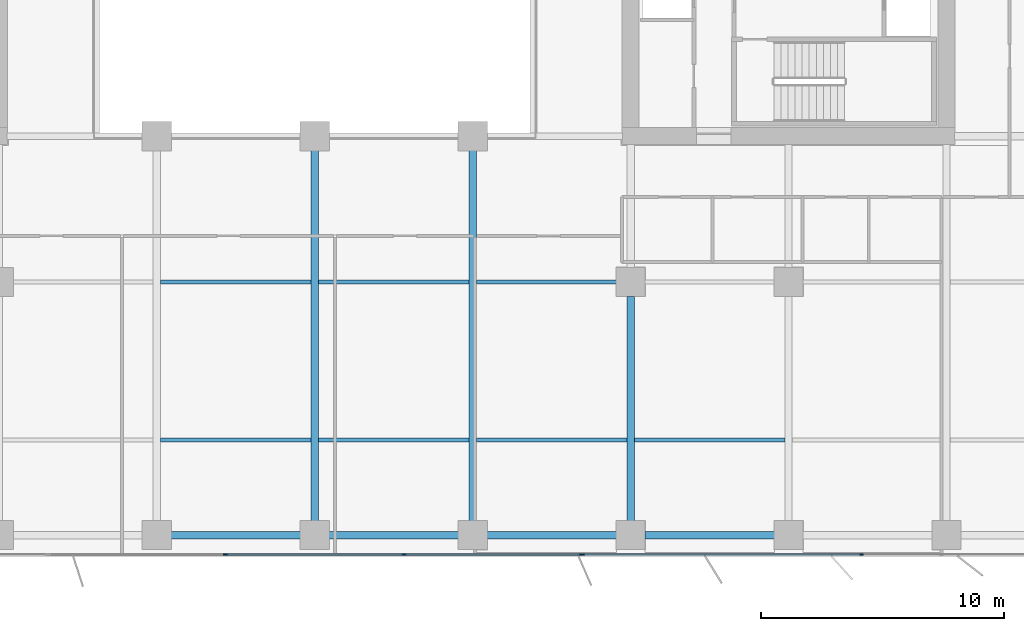
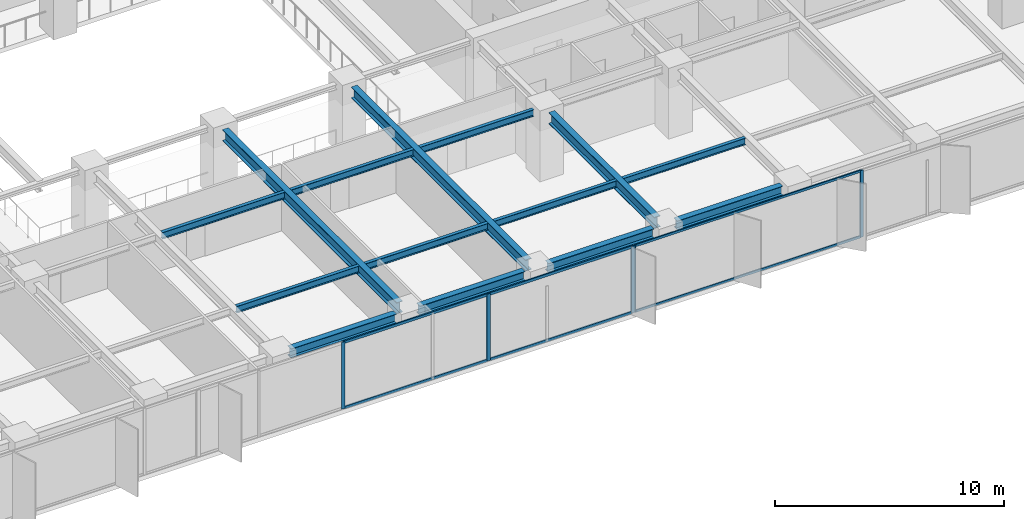
# One storey, part 5 of 20: 14 beams, 11 members, 2 elements without a shape of their own.
"""IFC4 building model written with IfcOpenShell, lengths in metres."""

from ifc_helpers import new_model, si_unit, direction, frame, origin, origin_2d, place, context, subcontext, project, spatial, rectangle, i_section, extrude, material, layer, layer_set, material_profile, profile_set, type_object, element, aggregate, save


model = new_model("IFC4")

# Units and contexts
model_context = context("Model", 3, precision=1e-05, world=origin(), true_north=direction((0.0, 1.0)))
body_context = subcontext(model_context, "Body", "Model", "MODEL_VIEW")
ifc_project = project(units=[si_unit("LENGTHUNIT", "METRE"), si_unit("AREAUNIT", "SQUARE_METRE"), si_unit("VOLUMEUNIT", "CUBIC_METRE"), si_unit("PLANEANGLEUNIT", "RADIAN"), si_unit("MASSUNIT", "GRAM", prefix="KILO")], contexts=[model_context])

# Site, building, storey
site_placement = place(None, origin())
site = spatial("IfcSite", under=ifc_project, at=site_placement, CompositionType="ELEMENT")
building_placement = place(site_placement, origin())
building = spatial("IfcBuilding", under=site, at=building_placement, Name="Putna Gate Headquarters", CompositionType="ELEMENT")
storey_placement = place(building_placement, frame((0.0, 0.0, 97.39990234375)))
storey = spatial("IfcBuildingStorey", under=building, at=storey_placement, Name="L23", CompositionType="ELEMENT", Elevation=97.39990234375)

# Beams
ifc_material_1 = material(Name="Steel S355J2", Category="steel")
ifc_material_profile_1 = material_profile(ifc_material_1, i_section(OverallWidth=0.300048828125, OverallDepth=0.60009765625, WebThickness=0.015380859375, FlangeThickness=0.030029296875, at=origin_2d()), Name="Steel S355J2")
ifc_profile_set_1 = profile_set([ifc_material_profile_1], Name="Steel S355J2")
beam_type_1 = type_object("IfcBeamType", Name="BM-GIRD-Z2-HEB600", PredefinedType="USERDEFINED", material=ifc_profile_set_1)
for number, where, z_axis, x_axis, name in (
    (1, (39.0, 3.16796875, 3.26513671875), (0.0, 1.0, 0.0), (-1.0, 0.0, 0.0), "L23 South Primary Girder X39"),
    (2, (45.5, 3.16796875, 3.26513671875), (0.0, 1.0, 0.0), (-1.0, 0.0, 0.0), "L23 South Primary Girder X45"),
):
    element("IfcBeam", number, at=place(storey_placement, frame(where, z_axis=z_axis, x_axis=x_axis)), inside=storey, type_object=beam_type_1, Name=name, ObjectType="GIRDER", PredefinedType="USERDEFINED", context=body_context, shape_type="SweptSolid", body=[
        extrude(i_section(OverallWidth=0.300048828125, OverallDepth=0.60009765625, WebThickness=0.015380859375, FlangeThickness=0.030029296875, at=origin_2d()), origin(), (0.0, 0.0, 1.0), 15.244140625),
    ])
beam_1_placement = place(storey_placement, frame((52.0, 3.16796875, 3.26513671875), z_axis=(0.0, 1.0, 0.0), x_axis=(-1.0, 0.0, 0.0)))
element("IfcBeam", 3, at=beam_1_placement, inside=storey, type_object=beam_type_1, Name="L23 South Primary Girder X52-1", ObjectType="GIRDER", PredefinedType="USERDEFINED", context=body_context, shape_type="SweptSolid", body=[
    extrude(i_section(OverallWidth=0.300048828125, OverallDepth=0.60009765625, WebThickness=0.015380859375, FlangeThickness=0.030029296875, at=origin_2d()), origin(), (0.0, 0.0, 1.0), 9.244140625),
])
ifc_material_profile_2 = material_profile(ifc_material_1, i_section(OverallWidth=0.169921875, OverallDepth=0.360107421875, WebThickness=0.008056640625, FlangeThickness=0.0126953125, at=origin_2d()), Name="Steel S355J2")
ifc_profile_set_2 = profile_set([ifc_material_profile_2], Name="Steel S355J2")
beam_type_2 = type_object("IfcBeamType", Name="BM-SEC-Z2-IPE360", PredefinedType="BEAM", material=ifc_profile_set_2)
for number, where, z_axis, x_axis, name in (
    (4, (32.654052734375, 6.5, 3.385009765625), (1.0, 0.0, 0.0), (0.0, 1.0, 0.0), "L23 South Secondary Beam 5"),
    (5, (32.654052734375, 13.0, 3.385009765625), (1.0, 0.0, 0.0), (0.0, 1.0, 0.0), "L23 South Secondary Beam 5"),
    (6, (39.154052734375, 6.5, 3.385009765625), (1.0, 0.0, 0.0), (0.0, 1.0, 0.0), "L23 South Secondary Beam 6"),
    (7, (39.154052734375, 13.0, 3.385009765625), (1.0, 0.0, 0.0), (0.0, 1.0, 0.0), "L23 South Secondary Beam 6"),
    (8, (45.654052734375, 6.5, 3.385009765625), (1.0, 0.0, 0.0), (0.0, 1.0, 0.0), "L23 South Secondary Beam 7"),
):
    element("IfcBeam", number, at=place(storey_placement, frame(where, z_axis=z_axis, x_axis=x_axis)), inside=storey, type_object=beam_type_2, Name=name, PredefinedType="BEAM", context=body_context, shape_type="SweptSolid", body=[
        extrude(i_section(OverallWidth=0.169921875, OverallDepth=0.360107421875, WebThickness=0.008056640625, FlangeThickness=0.0126953125, at=origin_2d()), origin(), (0.0, 0.0, 1.0), 6.19189453125),
    ])
beam_2_placement = place(storey_placement, frame((45.654052734375, 13.0, 3.385009765625), z_axis=(1.0, 0.0, 0.0), x_axis=(0.0, 1.0, 0.0)))
element("IfcBeam", 9, at=beam_2_placement, inside=storey, type_object=beam_type_2, Name="L23 South Secondary Beam 7", PredefinedType="BEAM", context=body_context, shape_type="SweptSolid", body=[
    extrude(i_section(OverallWidth=0.169921875, OverallDepth=0.360107421875, WebThickness=0.008056640625, FlangeThickness=0.0126953125, at=origin_2d()), origin(), (0.0, 0.0, 1.0), 5.758056640625),
])
beam_3_placement = place(storey_placement, frame((52.154052734375, 6.5, 3.385009765625), z_axis=(1.0, 0.0, 0.0), x_axis=(0.0, 1.0, 0.0)))
element("IfcBeam", 10, at=beam_3_placement, inside=storey, type_object=beam_type_2, Name="L23 South Secondary Beam 8", PredefinedType="BEAM", context=body_context, shape_type="SweptSolid", body=[
    extrude(i_section(OverallWidth=0.169921875, OverallDepth=0.360107421875, WebThickness=0.008056640625, FlangeThickness=0.0126953125, at=origin_2d()), origin(), (0.0, 0.0, 1.0), 6.19189453125),
])
ifc_material_profile_3 = material_profile(ifc_material_1, i_section(OverallWidth=0.300048828125, OverallDepth=0.489990234375, WebThickness=0.011962890625, FlangeThickness=0.02294921875, at=origin_2d()), Name="Steel S355J2")
ifc_profile_set_3 = profile_set([ifc_material_profile_3], Name="Steel S355J2")
beam_type_3 = type_object("IfcBeamType", Name="BM-SPAN-Z2-HEA500", PredefinedType="SPANDREL", material=ifc_profile_set_3)
for number, where, z_axis, x_axis, name in (
    (11, (33.087890625, 2.580078125, 3.320068359375), (1.0, 0.0, 0.0), (0.0, 1.0, 0.0), "L23 S Perimeter Spandrel 5"),
    (12, (39.587890625, 2.580078125, 3.320068359375), (1.0, 0.0, 0.0), (0.0, 1.0, 0.0), "L23 S Perimeter Spandrel 6"),
    (13, (46.087890625, 2.580078125, 3.320068359375), (1.0, 0.0, 0.0), (0.0, 1.0, 0.0), "L23 S Perimeter Spandrel 7"),
    (14, (52.587890625, 2.580078125, 3.320068359375), (1.0, 0.0, 0.0), (0.0, 1.0, 0.0), "L23 S Perimeter Spandrel 8"),
):
    element("IfcBeam", number, at=place(storey_placement, frame(where, z_axis=z_axis, x_axis=x_axis)), inside=storey, type_object=beam_type_3, Name=name, PredefinedType="SPANDREL", context=body_context, shape_type="SweptSolid", body=[
        extrude(i_section(OverallWidth=0.300048828125, OverallDepth=0.489990234375, WebThickness=0.011962890625, FlangeThickness=0.02294921875, at=origin_2d()), origin(), (0.0, 0.0, 1.0), 5.32421875),
    ])

# Curtain wall, members
ifc_material_2 = material(Name="Anodised bronze aluminium curtain wall", Category="aluminium")
ifc_layer_1 = layer(ifc_material_2, 0.159912109375)
ifc_layer_set_1 = layer_set([ifc_layer_1], Name="Anodised bronze aluminium curtain wall")
curtain_wall_type_1 = type_object("IfcCurtainWallType", Name="CW-SYS-Z2", PredefinedType="USERDEFINED", material=ifc_layer_set_1)
curtain_wall_1_placement = place(storey_placement, origin())
curtain_wall_1 = element("IfcCurtainWall", 15, at=curtain_wall_1_placement, inside=storey, type_object=curtain_wall_type_1, Name="L23 South East Curtain Wall", ObjectType="STICK CURTAIN WALL", PredefinedType="USERDEFINED")
ifc_material_3 = material(Name="Anodised bronze aluminium EN AW-6060", Category="aluminium")
ifc_material_profile_4 = material_profile(ifc_material_3, rectangle(XDim=0.06494140625, YDim=0.159912109375, at=origin_2d()), Name="Anodised bronze aluminium EN AW-6060")
ifc_profile_set_4 = profile_set([ifc_material_profile_4], Name="Anodised bronze aluminium EN AW-6060")
member_type_1 = type_object("IfcMemberType", Name="MULL-CWM-2", PredefinedType="MULLION", material=ifc_profile_set_4)
member_1_placement = place(storey_placement, frame((50.032470703125, 1.780029296875, 0.0), z_axis=(0.0, 0.0, 1.0), x_axis=(0.0, 1.0, 0.0)))
member_1 = element("IfcMember", 16, at=member_1_placement, type_object=member_type_1, Name="CWS-2 mullion 1", PredefinedType="MULLION", context=body_context, shape_type="SweptSolid", body=[
    extrude(rectangle(XDim=0.06494140625, YDim=0.159912109375, at=origin_2d()), origin(), (0.0, 0.0, 1.0), 3.565185546875),
])
member_2_placement = place(storey_placement, frame((61.5, 1.780029296875, 0.0), z_axis=(0.0, 0.0, 1.0), x_axis=(0.0, 1.0, 0.0)))
member_2 = element("IfcMember", 17, at=member_2_placement, type_object=member_type_1, Name="CWS-2 mullion 2", PredefinedType="MULLION", context=body_context, shape_type="SweptSolid", body=[
    extrude(rectangle(XDim=0.06494140625, YDim=0.159912109375, at=origin_2d()), origin(), (0.0, 0.0, 1.0), 3.565185546875),
])

ifc_layer_2 = layer(ifc_material_2, 0.179931640625)
ifc_layer_set_2 = layer_set([ifc_layer_2], Name="Anodised bronze aluminium curtain wall")
curtain_wall_type_2 = type_object("IfcCurtainWallType", Name="CW-SYS-ATR", PredefinedType="USERDEFINED", material=ifc_layer_set_2)
curtain_wall_2_placement = place(storey_placement, origin())
curtain_wall_2 = element("IfcCurtainWall", 18, at=curtain_wall_2_placement, inside=storey, type_object=curtain_wall_type_2, Name="L23 South Atrium Clear Glazing", ObjectType="ATRIUM GLAZING", PredefinedType="USERDEFINED")
ifc_material_profile_5 = material_profile(ifc_material_3, rectangle(XDim=0.070068359375, YDim=0.179931640625, at=origin_2d()), Name="Anodised bronze aluminium EN AW-6060")
ifc_profile_set_5 = profile_set([ifc_material_profile_5], Name="Anodised bronze aluminium EN AW-6060")
member_type_2 = type_object("IfcMemberType", Name="MULL-CWM-AT", PredefinedType="MULLION", material=ifc_profile_set_5)
member_3_placement = place(storey_placement, frame((35.333251953125, 1.780029296875, 0.0), z_axis=(0.0, 0.0, 1.0), x_axis=(0.0, 1.0, 0.0)))
member_3 = element("IfcMember", 19, at=member_3_placement, type_object=member_type_2, Name="CWS-AT mullion 2", PredefinedType="MULLION", context=body_context, shape_type="SweptSolid", body=[
    extrude(rectangle(XDim=0.070068359375, YDim=0.179931640625, at=origin_2d()), origin(), (0.0, 0.0, 1.0), 3.565185546875),
])
member_4_placement = place(storey_placement, frame((42.666748046875, 1.780029296875, 0.0), z_axis=(0.0, 0.0, 1.0), x_axis=(0.0, 1.0, 0.0)))
member_4 = element("IfcMember", 20, at=member_4_placement, type_object=member_type_2, Name="CWS-AT mullion 3", PredefinedType="MULLION", context=body_context, shape_type="SweptSolid", body=[
    extrude(rectangle(XDim=0.070068359375, YDim=0.179931640625, at=origin_2d()), origin(), (0.0, 0.0, 1.0), 3.565185546875),
])
member_5_placement = place(storey_placement, frame((49.965087890625, 1.780029296875, 0.0), z_axis=(0.0, 0.0, 1.0), x_axis=(0.0, 1.0, 0.0)))
member_5 = element("IfcMember", 21, at=member_5_placement, type_object=member_type_2, Name="CWS-AT mullion 4", PredefinedType="MULLION", context=body_context, shape_type="SweptSolid", body=[
    extrude(rectangle(XDim=0.070068359375, YDim=0.179931640625, at=origin_2d()), origin(), (0.0, 0.0, 1.0), 3.565185546875),
])

# Member
ifc_material_profile_6 = material_profile(ifc_material_3, rectangle(XDim=0.06494140625, YDim=0.1201171875, at=origin_2d()), Name="Anodised bronze aluminium EN AW-6060")
ifc_profile_set_6 = profile_set([ifc_material_profile_6], Name="Anodised bronze aluminium EN AW-6060")
member_type_3 = type_object("IfcMemberType", Name="TRAN-CWT-2", PredefinedType="USERDEFINED", material=ifc_profile_set_6)
member_6_placement = place(storey_placement, frame((50.06494140625, 1.780029296875, 0.03271484375), z_axis=(1.0, 0.0, 0.0), x_axis=(0.0, 1.0, 0.0)))
member_6 = element("IfcMember", 22, at=member_6_placement, type_object=member_type_3, Name="CWS-2 transom 1.1", ObjectType="TRANSOM", PredefinedType="USERDEFINED", context=body_context, shape_type="SweptSolid", body=[
    extrude(rectangle(XDim=0.06494140625, YDim=0.1201171875, at=origin_2d()), origin(), (0.0, 0.0, 1.0), 11.402587890625),
])

member_7_placement = place(storey_placement, frame((50.06494140625, 1.780029296875, 3.53271484375), z_axis=(1.0, 0.0, 0.0), x_axis=(0.0, 1.0, 0.0)))
member_7 = element("IfcMember", 23, at=member_7_placement, type_object=member_type_3, Name="CWS-2 transom 1.2", ObjectType="TRANSOM", PredefinedType="USERDEFINED", context=body_context, shape_type="SweptSolid", body=[
    extrude(rectangle(XDim=0.06494140625, YDim=0.1201171875, at=origin_2d()), origin(), (0.0, 0.0, 1.0), 11.402587890625),
])

aggregate(curtain_wall_1, [member_1, member_2, member_6, member_7])

ifc_material_profile_7 = material_profile(ifc_material_3, rectangle(XDim=0.070068359375, YDim=0.139892578125, at=origin_2d()), Name="Anodised bronze aluminium EN AW-6060")
ifc_profile_set_7 = profile_set([ifc_material_profile_7], Name="Anodised bronze aluminium EN AW-6060")
member_type_4 = type_object("IfcMemberType", Name="TRAN-CWT-AT", PredefinedType="USERDEFINED", material=ifc_profile_set_7)
member_8_placement = place(storey_placement, frame((35.368408203125, 1.780029296875, 0.03515625), z_axis=(1.0, 0.0, 0.0), x_axis=(0.0, 1.0, 0.0)))
member_8 = element("IfcMember", 24, at=member_8_placement, type_object=member_type_4, Name="CWS-AT transom 2.1", ObjectType="TRANSOM", PredefinedType="USERDEFINED", context=body_context, shape_type="SweptSolid", body=[
    extrude(rectangle(XDim=0.070068359375, YDim=0.139892578125, at=origin_2d()), origin(), (0.0, 0.0, 1.0), 7.26318359375),
])

member_9_placement = place(storey_placement, frame((35.368408203125, 1.780029296875, 3.530029296875), z_axis=(1.0, 0.0, 0.0), x_axis=(0.0, 1.0, 0.0)))
member_9 = element("IfcMember", 25, at=member_9_placement, type_object=member_type_4, Name="CWS-AT transom 2.2", ObjectType="TRANSOM", PredefinedType="USERDEFINED", context=body_context, shape_type="SweptSolid", body=[
    extrude(rectangle(XDim=0.070068359375, YDim=0.139892578125, at=origin_2d()), origin(), (0.0, 0.0, 1.0), 7.26318359375),
])

member_10_placement = place(storey_placement, frame((42.70166015625, 1.780029296875, 0.03515625), z_axis=(1.0, 0.0, 0.0), x_axis=(0.0, 1.0, 0.0)))
member_10 = element("IfcMember", 26, at=member_10_placement, type_object=member_type_4, Name="CWS-AT transom 3.1", ObjectType="TRANSOM", PredefinedType="USERDEFINED", context=body_context, shape_type="SweptSolid", body=[
    extrude(rectangle(XDim=0.070068359375, YDim=0.139892578125, at=origin_2d()), origin(), (0.0, 0.0, 1.0), 7.228271484375),
])

member_11_placement = place(storey_placement, frame((42.70166015625, 1.780029296875, 3.530029296875), z_axis=(1.0, 0.0, 0.0), x_axis=(0.0, 1.0, 0.0)))
member_11 = element("IfcMember", 27, at=member_11_placement, type_object=member_type_4, Name="CWS-AT transom 3.2", ObjectType="TRANSOM", PredefinedType="USERDEFINED", context=body_context, shape_type="SweptSolid", body=[
    extrude(rectangle(XDim=0.070068359375, YDim=0.139892578125, at=origin_2d()), origin(), (0.0, 0.0, 1.0), 7.228271484375),
])

aggregate(curtain_wall_2, [member_3, member_4, member_5, member_8, member_9, member_10, member_11])

save(model, "model.ifc")
